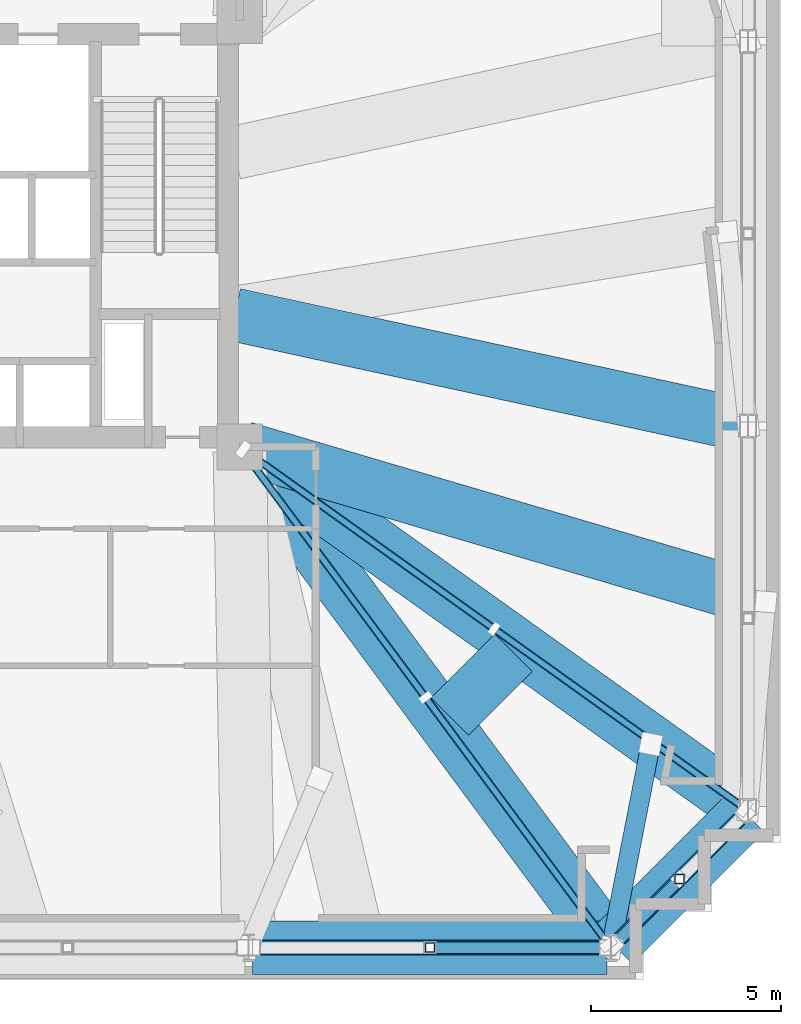
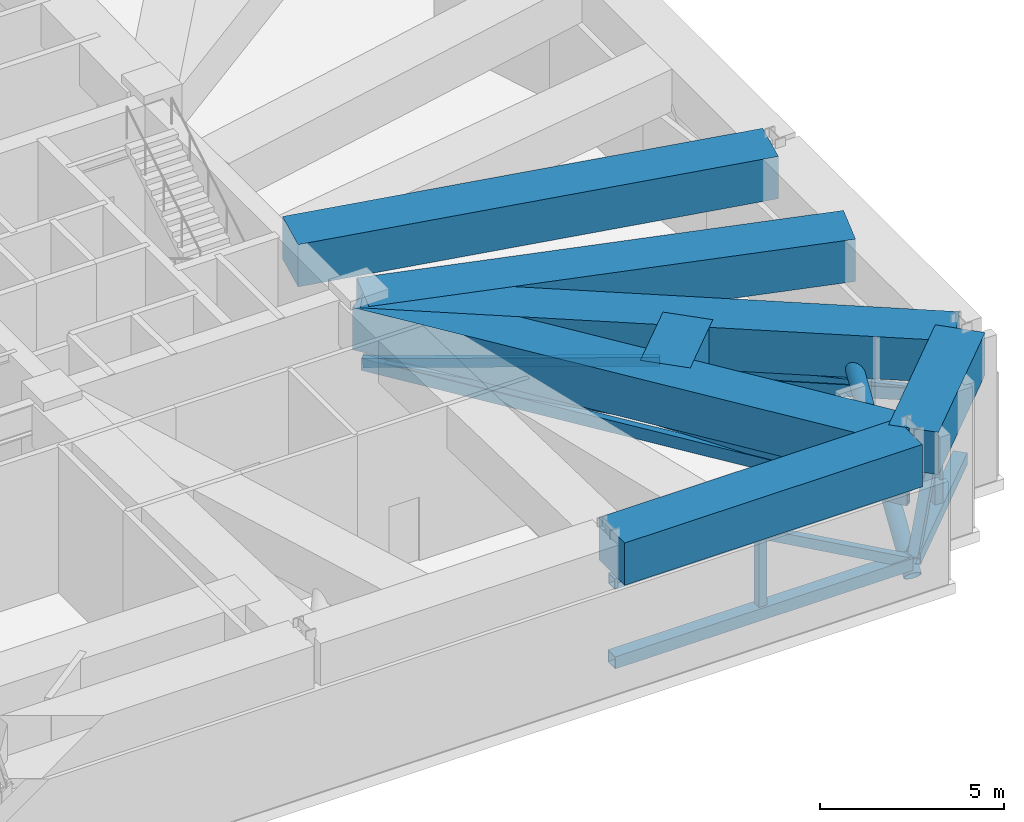
# One storey, part 7 of 20: 15 members, 7 beams.
"""IFC4 building model written with IfcOpenShell, lengths in metres."""

import ifcopenshell
import ifcopenshell.guid

model = None  # the IFC model being written
_history = None  # IfcOwnerHistory: only IFC2X3 demands one
_inside = {}  # id of a spatial element -> (the spatial element, [elements in it])
_under = {}  # id of a project, library or spatial element -> (it, [spatial elements below it])
_declared = {}  # id of a project -> (the project, [libraries it declares])
_typed = {}  # id of a type object -> (the type object, [elements of that type])
_made_of = {}  # id of a material, layer set ... -> (it, [elements and type objects made of it])


def new_model(schema):
    """Start an empty IFC model of exactly this schema.

    Asked for "IFC4X3", IfcOpenShell would pick the latest addendum, in which some entities
    have other attributes; the version numbers below select the first issue.
    IFC2X3 requires an IfcOwnerHistory on every rooted entity: one is made here for all.
    """
    global model, _history
    if schema == "IFC4X3":
        model = ifcopenshell.file(schema_version=(4, 3, 0, 0))
    else:
        model = ifcopenshell.file(schema=schema)
    _inside.clear()
    _under.clear()
    _declared.clear()
    _typed.clear()
    _made_of.clear()
    _history = None
    if model.schema == "IFC2X3":
        org = make("IfcOrganization", Name="unknown")
        user = make(
            "IfcPersonAndOrganization",
            ThePerson=make("IfcPerson", FamilyName="unknown"),
            TheOrganization=org,
        )
        app = make(
            "IfcApplication",
            ApplicationDeveloper=org,
            Version="unknown",
            ApplicationFullName="unknown",
            ApplicationIdentifier="unknown",
        )
        _history = make(
            "IfcOwnerHistory",
            OwningUser=user,
            OwningApplication=app,
            ChangeAction="ADDED",
            CreationDate=0,
        )
    return model


def make(cls, **values):
    """One entity of the class cls with the attributes given. An attribute that is None is left unset."""
    return model.create_entity(
        cls, **{name: value for name, value in values.items() if value is not None}
    )


def rooted(cls, **values):
    """An entity with a GlobalId (a new one), such as an element, a storey or a relation."""
    return make(cls, GlobalId=ifcopenshell.guid.new(), OwnerHistory=_history, **values)


def si_unit(unit_type, name, prefix=None):
    """IfcSIUnit, for example si_unit("LENGTHUNIT", "METRE", prefix="MILLI")."""
    return make("IfcSIUnit", UnitType=unit_type, Prefix=prefix, Name=name)


def assignment(units):
    """IfcUnitAssignment: the units of a project."""
    return None if units is None else make("IfcUnitAssignment", Units=units)


def point(xyz):
    """IfcCartesianPoint."""
    return None if xyz is None else make("IfcCartesianPoint", Coordinates=xyz)


def direction(xyz):
    """IfcDirection."""
    return None if xyz is None else make("IfcDirection", DirectionRatios=xyz)


def frame(location, z_axis=None, x_axis=None):
    """IfcAxis2Placement3D, a coordinate frame: its origin and axes. An axis left out is left unset."""
    return make(
        "IfcAxis2Placement3D",
        Location=point(location),
        Axis=direction(z_axis),
        RefDirection=direction(x_axis),
    )


def frame_2d(location, x_axis=None):
    """IfcAxis2Placement2D, a coordinate frame in the plane: its origin and x axis."""
    return make(
        "IfcAxis2Placement2D", Location=point(location), RefDirection=direction(x_axis)
    )


def origin():
    """The frame at (0, 0, 0) with its axes left unset."""
    return frame((0.0, 0.0, 0.0))


def origin_2d():
    """The frame at (0, 0) in the plane with its x axis left unset."""
    return frame_2d((0.0, 0.0))


def place(relative_to, where):
    """IfcLocalPlacement: puts the frame where relative to a parent placement (None: the world)."""
    return make(
        "IfcLocalPlacement", PlacementRelTo=relative_to, RelativePlacement=where
    )


def context(
    kind, dimensions, precision=None, world=None, true_north=None, identifier=None
):
    """IfcGeometricRepresentationContext, for example the 3D "Model" context."""
    return make(
        "IfcGeometricRepresentationContext",
        ContextIdentifier=identifier,
        ContextType=kind,
        CoordinateSpaceDimension=dimensions,
        Precision=precision,
        WorldCoordinateSystem=world,
        TrueNorth=true_north,
    )


def subcontext(parent, identifier, kind, view, scale=None):
    """IfcGeometricRepresentationSubContext, for example "Body" below "Model"."""
    return make(
        "IfcGeometricRepresentationSubContext",
        ContextIdentifier=identifier,
        ContextType=kind,
        ParentContext=parent,
        TargetScale=scale,
        TargetView=view,
    )


def project(units=None, contexts=None):
    """IfcProject with its units and contexts."""
    return rooted(
        "IfcProject",
        Name="project",
        RepresentationContexts=contexts,
        UnitsInContext=assignment(units),
    )


def spatial(cls, under=None, at=None, **own):
    """A site, building, storey or space (cls), placed at a placement, below another one or the project."""
    s = rooted(cls, ObjectPlacement=at, **own)
    if under is not None:
        _under.setdefault(under.id(), (under, []))[1].append(s)
    return s


def profile(cls, at=None, kind="AREA", **sizes):
    """A parametric profile (cls). Its sizes go by their IFC names, for example OverallWidth=200.0."""
    return make(cls, ProfileType=kind, Position=at, **sizes)


def rectangle(**sizes):
    """IfcRectangleProfileDef."""
    return profile("IfcRectangleProfileDef", **sizes)


def hollow_rectangle(**sizes):
    """IfcRectangleHollowProfileDef."""
    return profile("IfcRectangleHollowProfileDef", **sizes)


def hollow_circle(**sizes):
    """IfcCircleHollowProfileDef."""
    return profile("IfcCircleHollowProfileDef", **sizes)


def extrude(swept, where, along, depth):
    """IfcExtrudedAreaSolid: the profile swept, set in the frame where, extruded along a direction by depth."""
    return make(
        "IfcExtrudedAreaSolid",
        SweptArea=swept,
        Position=where,
        ExtrudedDirection=direction(along),
        Depth=depth,
    )


def shape(context_of_items, identifier, shape_type, items):
    """IfcShapeRepresentation: the items that make up one representation, for example the "Body"."""
    return make(
        "IfcShapeRepresentation",
        ContextOfItems=context_of_items,
        RepresentationIdentifier=identifier,
        RepresentationType=shape_type,
        Items=items,
    )


def material(Name=None, Category=None):
    """IfcMaterial."""
    return make("IfcMaterial", Name=Name, Category=Category)


def material_profile(
    of_material, cross_section, Name=None, Category=None, Priority=None
):
    """IfcMaterialProfile: a cross section and its material."""
    return make(
        "IfcMaterialProfile",
        Name=Name,
        Material=of_material,
        Profile=cross_section,
        Priority=Priority,
        Category=Category,
    )


def profile_set(profiles, Name=None, composite=None):
    """IfcMaterialProfileSet."""
    return make(
        "IfcMaterialProfileSet",
        Name=Name,
        MaterialProfiles=profiles,
        CompositeProfile=composite,
    )


def made_of(thing, what):
    """Note that an element or type object is made of a material, layer set ...; save() writes the relation."""
    if what is not None:
        _made_of.setdefault(what.id(), (what, []))[1].append(thing)
    return thing


def type_object(cls, material=None, **own):
    """A type object (cls), such as IfcWallType, which elements share."""
    return made_of(rooted(cls, **own), material)


def element(
    cls,
    number,
    at=None,
    inside=None,
    cuts=None,
    type_object=None,
    material=None,
    context=None,
    identifier="Body",
    shape_type=None,
    held_by="IfcProductDefinitionShape",
    body=None,
    shapes=None,
    **own,
):
    """One element of the class cls, such as IfcWall. Its Tag is "e" and its number.

    at: its placement. inside: the storey or other place that contains it. cuts: it is an
    opening in that element (IfcRelVoidsElement). A single representation is given by context,
    identifier, shape_type and body (its items); several are given by shapes. held_by: the class
    of the entity that holds the representations. save() writes the other relations.
    """
    e = rooted(cls, Tag="e%d" % number, ObjectPlacement=at, **own)
    if body is not None:
        shapes = [shape(context, identifier, shape_type, body)]
    if shapes is not None:
        e.Representation = make(held_by, Representations=shapes)
    if inside is not None:
        _inside.setdefault(inside.id(), (inside, []))[1].append(e)
    if cuts is not None:
        rooted(
            "IfcRelVoidsElement", RelatingBuildingElement=cuts, RelatedOpeningElement=e
        )
    if type_object is not None:
        _typed.setdefault(type_object.id(), (type_object, []))[1].append(e)
    return made_of(e, material)


def aggregate(whole, parts):
    """IfcRelAggregates: a whole, such as a stair, and the parts it consists of."""
    return rooted("IfcRelAggregates", RelatingObject=whole, RelatedObjects=parts)


def save(model, path):
    """Write the relations noted so far, then the file.

    IfcRelAggregates (storeys below a building ...), IfcRelContainedInSpatialStructure (elements
    in a storey), IfcRelDefinesByType, IfcRelAssociatesMaterial and IfcRelDeclares: one each for
    every whole, place, type object, material and project.
    """
    for whole, parts in _under.values():
        aggregate(whole, parts)
    for where, things in _inside.values():
        rooted(
            "IfcRelContainedInSpatialStructure",
            RelatedElements=things,
            RelatingStructure=where,
        )
    for kind, things in _typed.values():
        rooted("IfcRelDefinesByType", RelatedObjects=things, RelatingType=kind)
    for what, things in _made_of.values():
        rooted("IfcRelAssociatesMaterial", RelatedObjects=things, RelatingMaterial=what)
    for by, libraries in _declared.values():
        rooted("IfcRelDeclares", RelatingContext=by, RelatedDefinitions=libraries)
    model.write(path)


model = new_model("IFC4")

# Units and contexts
model_context = context("Model", 3, precision=1e-05, world=origin(), true_north=direction((0.0, 1.0)))
body_context = subcontext(model_context, "Body", "Model", "MODEL_VIEW")
ifc_project = project(units=[si_unit("LENGTHUNIT", "METRE"), si_unit("AREAUNIT", "SQUARE_METRE"), si_unit("VOLUMEUNIT", "CUBIC_METRE"), si_unit("PLANEANGLEUNIT", "RADIAN"), si_unit("MASSUNIT", "GRAM", prefix="KILO")], contexts=[model_context])

# Site, building, storey
site_placement = place(None, origin())
site = spatial("IfcSite", under=ifc_project, at=site_placement, CompositionType="ELEMENT")
building_placement = place(site_placement, origin())
building = spatial("IfcBuilding", under=site, at=building_placement, Name="Qobustan Lattice House", CompositionType="ELEMENT")
storey_placement = place(building_placement, frame((0.0, 0.0, 73.89990234375)))
storey = spatial("IfcBuildingStorey", under=building, at=storey_placement, Name="L20", CompositionType="ELEMENT", Elevation=73.89990234375)

# Beams
ifc_material_1 = material(Name="Concrete C60/75", Category="concrete")
ifc_material_profile_1 = material_profile(ifc_material_1, rectangle(XDim=1.39990234375, YDim=1.39990234375, at=origin_2d()), Name="RC1400x1400")
ifc_profile_set_1 = profile_set([ifc_material_profile_1], Name="Concrete C60/75")
beam_type = type_object("IfcBeamType", Name="BM-TRG-RC1400", PredefinedType="USERDEFINED", material=ifc_profile_set_1)
beam_1_placement = place(storey_placement, frame((19.13330078125, -18.75, 4.1201171875), z_axis=(1.0, 0.0, 0.0), x_axis=(0.0, 1.0, 0.0)))
element("IfcBeam", 1, at=beam_1_placement, inside=storey, type_object=beam_type, Name="L20 TT1 lower perimeter transfer girder S6-S7", ObjectType="GIRDER", PredefinedType="USERDEFINED", context=body_context, shape_type="SweptSolid", body=[
    extrude(rectangle(XDim=1.39990234375, YDim=1.39990234375, at=origin_2d()), origin(), (0.0, 0.0, 1.0), 9.316650390625),
])
beam_2_placement = place(storey_placement, frame((28.62060546875, -18.67919921875, 4.1201171875), z_axis=(0.70713173775, 0.707081823743, 0.0), x_axis=(-0.707081823743, 0.70713173775, 0.0)))
element("IfcBeam", 2, at=beam_2_placement, inside=storey, type_object=beam_type, Name="L20 TT1 lower perimeter transfer girder S7-E1", ObjectType="GIRDER", PredefinedType="USERDEFINED", context=body_context, shape_type="SweptSolid", body=[
    extrude(rectangle(XDim=1.39990234375, YDim=1.39990234375, at=origin_2d()), origin(), (0.0, 0.0, 1.0), 4.89111328125),
])
beam_3_placement = place(storey_placement, frame((18.87158203125, -5.6962890625, 4.1201171875), z_axis=(0.595585839157, -0.803291670688, 0.0), x_axis=(0.803291670688, 0.595585839157, 0.0)))
element("IfcBeam", 3, at=beam_3_placement, inside=storey, type_object=beam_type, Name="L20 TT1 radial transfer girder S7", ObjectType="GIRDER", PredefinedType="USERDEFINED", context=body_context, shape_type="SweptSolid", body=[
    extrude(rectangle(XDim=1.39990234375, YDim=1.39990234375, at=origin_2d()), origin(), (0.0, 0.0, 1.0), 16.130126953125),
])
beam_4_placement = place(storey_placement, frame((18.897705078125, -5.669921875, 4.1201171875), z_axis=(0.813327350359, -0.581806343347, 0.0), x_axis=(0.581806343347, 0.813327350359, 0.0)))
element("IfcBeam", 4, at=beam_4_placement, inside=storey, type_object=beam_type, Name="L20 TT1 radial transfer girder E1", ObjectType="GIRDER", PredefinedType="USERDEFINED", context=body_context, shape_type="SweptSolid", body=[
    extrude(rectangle(XDim=1.39990234375, YDim=1.39990234375, at=origin_2d()), origin(), (0.0, 0.0, 1.0), 16.174072265625),
])
beam_5_placement = place(storey_placement, frame((18.667236328125, -2.12548828125, 4.1201171875), z_axis=(0.977272930784, -0.211984949366, 0.0), x_axis=(0.211984949366, 0.977272930784, 0.0)))
element("IfcBeam", 5, at=beam_5_placement, inside=storey, type_object=beam_type, Name="L20 TT1 radial transfer girder E2", ObjectType="GIRDER", PredefinedType="USERDEFINED", context=body_context, shape_type="SweptSolid", body=[
    extrude(rectangle(XDim=1.39990234375, YDim=1.39990234375, at=origin_2d()), origin(), (0.0, 0.0, 1.0), 13.67626953125),
])
beam_6_placement = place(storey_placement, frame((24.318115234375, -12.677001953125, 4.1201171875), z_axis=(0.707055056174, 0.707158502415, 0.0), x_axis=(-0.707158502415, 0.707055056174, 0.0)))
element("IfcBeam", 6, at=beam_6_placement, inside=storey, type_object=beam_type, Name="L20 TT1 quadrant transfer tie girder 4", ObjectType="GIRDER", PredefinedType="USERDEFINED", context=body_context, shape_type="SweptSolid", body=[
    extrude(rectangle(XDim=1.39990234375, YDim=1.39990234375, at=origin_2d()), origin(), (0.0, 0.0, 1.0), 2.360107421875),
])
beam_7_placement = place(storey_placement, frame((18.9150390625, -5.6337890625, 4.1201171875), z_axis=(0.959248595949, -0.282563499358, 0.0), x_axis=(0.282563499358, 0.959248595949, 0.0)))
element("IfcBeam", 7, at=beam_7_placement, inside=storey, type_object=beam_type, Name="L20 TT1 primary column transfer girder E1", ObjectType="GIRDER", PredefinedType="USERDEFINED", context=body_context, shape_type="SweptSolid", body=[
    extrude(rectangle(XDim=1.39990234375, YDim=1.39990234375, at=origin_2d()), origin(), (0.0, 0.0, 1.0), 13.5771484375),
])

# Members
ifc_material_2 = material(Name="Steel S355", Category="steel")
ifc_material_profile_2 = material_profile(ifc_material_2, hollow_rectangle(XDim=0.14990234375, YDim=0.300048828125, WallThickness=0.012451171875, at=origin_2d()), Name="RHS300x150x12.5")
ifc_profile_set_2 = profile_set([ifc_material_profile_2], Name="Steel S355")
member_type_1 = type_object("IfcMemberType", Name="MEM-BRC-RHS300", PredefinedType="BRACE", material=ifc_profile_set_2)
for number, where, z_axis, x_axis, name in (
    (8, (18.897705078125, -5.669921875, 2.550048828125), (0.811170788015, -0.580263666034, 0.072773831507), (0.581806343347, 0.813327350359, 0.0), "L20 TT1 outrigger diagonal OUT-ES-1"),
    (9, (25.47509765625, -10.375, 3.14013671875), (0.811170788015, -0.580263666034, -0.072773831507), (0.581806343347, 0.813327350359, 0.0), "L20 TT1 outrigger diagonal OUT-ES-2"),
):
    element("IfcMember", number, at=place(storey_placement, frame(where, z_axis=z_axis, x_axis=x_axis)), inside=storey, type_object=member_type_1, Name=name, PredefinedType="BRACE", context=body_context, shape_type="SweptSolid", body=[
        extrude(hollow_rectangle(XDim=0.14990234375, YDim=0.300048828125, WallThickness=0.012451171875, at=origin_2d()), origin(), (0.0, 0.0, 1.0), 8.1083984375),
    ])
for number, where, z_axis, x_axis, name in (
    (10, (18.87158203125, -5.6962890625, 2.550048828125), (0.593990885889, -0.801155585201, 0.072969553809), (0.803297039527, 0.595578597909, 0.0), "L20 TT1 outrigger diagonal OUT-EN-1"),
    (11, (23.675048828125, -12.175048828125, 3.14013671875), (0.594005252993, -0.80114477222, -0.072971318754), (0.803286301652, 0.595593080532, 0.0), "L20 TT1 outrigger diagonal OUT-EN-2"),
):
    element("IfcMember", number, at=place(storey_placement, frame(where, z_axis=z_axis, x_axis=x_axis)), inside=storey, type_object=member_type_1, Name=name, PredefinedType="BRACE", context=body_context, shape_type="SweptSolid", body=[
        extrude(hollow_rectangle(XDim=0.14990234375, YDim=0.300048828125, WallThickness=0.012451171875, at=origin_2d()), origin(), (0.0, 0.0, 1.0), 8.086669921875),
    ])
ifc_material_3 = material(Name="Steel S355", Category="steel")
ifc_material_profile_3 = material_profile(ifc_material_3, hollow_rectangle(XDim=0.300048828125, YDim=0.300048828125, WallThickness=0.01611328125, at=origin_2d()), Name="SHS300x300x16")
ifc_profile_set_3 = profile_set([ifc_material_profile_3], Name="Steel S355")
member_type_2 = type_object("IfcMemberType", Name="MEM-BRC-SHS300", PredefinedType="BRACE", material=ifc_profile_set_3)
member_1_placement = place(storey_placement, frame((23.79150390625, -18.75, 3.14013671875), z_axis=(0.873993021838, 0.0, -0.485938471185), x_axis=(0.0, 1.0, 0.0)))
element("IfcMember", 12, at=member_1_placement, inside=storey, type_object=member_type_2, Name="L20 TT1 belt truss web diagonal S6-S7 B", PredefinedType="BRACE", context=body_context, shape_type="SweptSolid", body=[
    extrude(hollow_rectangle(XDim=0.300048828125, YDim=0.300048828125, WallThickness=0.01611328125, at=origin_2d()), origin(), (0.0, 0.0, 1.0), 5.330078125),
])
member_2_placement = place(storey_placement, frame((28.62060546875, -18.67919921875, 0.550048828125), z_axis=(0.485498440745, 0.485429906239, 0.727082574515), x_axis=(-0.70705686718, 0.70715669167, 0.0)))
element("IfcMember", 13, at=member_2_placement, inside=storey, type_object=member_type_2, Name="L20 TT1 belt truss web diagonal S7-E1 A", PredefinedType="BRACE", context=body_context, shape_type="SweptSolid", body=[
    extrude(hollow_rectangle(XDim=0.300048828125, YDim=0.300048828125, WallThickness=0.01611328125, at=origin_2d()), origin(), (0.0, 0.0, 1.0), 3.562255859375),
])
ifc_material_4 = material(Name="Steel S355", Category="steel")
ifc_material_profile_4 = material_profile(ifc_material_4, hollow_rectangle(XDim=0.199951171875, YDim=0.39990234375, WallThickness=0.01611328125, at=origin_2d()), Name="RHS400x200x16")
ifc_profile_set_4 = profile_set([ifc_material_profile_4], Name="Steel S355")
member_type_3 = type_object("IfcMemberType", Name="MEM-CHD-RHS400", PredefinedType="CHORD", material=ifc_profile_set_4)
member_3_placement = place(storey_placement, frame((18.897705078125, -5.669921875, 2.550048828125), z_axis=(0.813327350359, -0.581806343347, 0.0), x_axis=(0.581806343347, 0.813327350359, 0.0)))
element("IfcMember", 14, at=member_3_placement, inside=storey, type_object=member_type_3, Name="L20 TT1 outrigger chord OUT-ES", PredefinedType="CHORD", context=body_context, shape_type="SweptSolid", body=[
    extrude(hollow_rectangle(XDim=0.199951171875, YDim=0.39990234375, WallThickness=0.01611328125, at=origin_2d()), origin(), (0.0, 0.0, 1.0), 16.174072265625),
])
member_4_placement = place(storey_placement, frame((18.87158203125, -5.6962890625, 2.550048828125), z_axis=(0.595585839157, -0.803291670688, 0.0), x_axis=(0.803291670688, 0.595585839157, 0.0)))
element("IfcMember", 15, at=member_4_placement, inside=storey, type_object=member_type_3, Name="L20 TT1 outrigger chord OUT-EN", PredefinedType="CHORD", context=body_context, shape_type="SweptSolid", body=[
    extrude(hollow_rectangle(XDim=0.199951171875, YDim=0.39990234375, WallThickness=0.01611328125, at=origin_2d()), origin(), (0.0, 0.0, 1.0), 16.130126953125),
])
ifc_material_5 = material(Name="Steel S355", Category="steel")
ifc_material_profile_5 = material_profile(ifc_material_5, hollow_rectangle(XDim=0.35009765625, YDim=0.35009765625, WallThickness=0.01611328125, at=origin_2d()), Name="SHS350x350x16")
ifc_profile_set_5 = profile_set([ifc_material_profile_5], Name="Steel S355")
member_type_4 = type_object("IfcMemberType", Name="MEM-CHD-SHS350", PredefinedType="CHORD", material=ifc_profile_set_5)
member_5_placement = place(storey_placement, frame((19.13330078125, -18.75, 3.14013671875), z_axis=(1.0, 0.0, 0.0), x_axis=(0.0, 1.0, 0.0)))
element("IfcMember", 16, at=member_5_placement, inside=storey, type_object=member_type_4, Name="L20 TT1 belt truss top chord S6-S7", PredefinedType="CHORD", context=body_context, shape_type="SweptSolid", body=[
    extrude(hollow_rectangle(XDim=0.35009765625, YDim=0.35009765625, WallThickness=0.01611328125, at=origin_2d()), origin(), (0.0, 0.0, 1.0), 9.316650390625),
])
member_6_placement = place(storey_placement, frame((28.62060546875, -18.67919921875, 3.14013671875), z_axis=(0.70713173775, 0.707081823743, 0.0), x_axis=(-0.707081823743, 0.70713173775, 0.0)))
element("IfcMember", 17, at=member_6_placement, inside=storey, type_object=member_type_4, Name="L20 TT1 belt truss top chord S7-E1", PredefinedType="CHORD", context=body_context, shape_type="SweptSolid", body=[
    extrude(hollow_rectangle(XDim=0.35009765625, YDim=0.35009765625, WallThickness=0.01611328125, at=origin_2d()), origin(), (0.0, 0.0, 1.0), 4.89111328125),
])
ifc_material_6 = material(Name="Steel S355", Category="steel")
ifc_material_profile_6 = material_profile(ifc_material_6, hollow_rectangle(XDim=0.39990234375, YDim=0.39990234375, WallThickness=0.02001953125, at=origin_2d()), Name="SHS400x400x20")
ifc_profile_set_6 = profile_set([ifc_material_profile_6], Name="Steel S355")
member_type_5 = type_object("IfcMemberType", Name="MEM-CHD-SHS400", PredefinedType="CHORD", material=ifc_profile_set_6)
member_7_placement = place(storey_placement, frame((19.13330078125, -18.75, 0.550048828125), z_axis=(1.0, 0.0, 0.0), x_axis=(0.0, 1.0, 0.0)))
element("IfcMember", 18, at=member_7_placement, inside=storey, type_object=member_type_5, Name="L20 TT1 belt truss bottom chord S6-S7", PredefinedType="CHORD", context=body_context, shape_type="SweptSolid", body=[
    extrude(hollow_rectangle(XDim=0.39990234375, YDim=0.39990234375, WallThickness=0.02001953125, at=origin_2d()), origin(), (0.0, 0.0, 1.0), 9.316650390625),
])
member_8_placement = place(storey_placement, frame((28.62060546875, -18.67919921875, 0.550048828125), z_axis=(0.70713173775, 0.707081823743, 0.0), x_axis=(-0.707081823743, 0.70713173775, 0.0)))
element("IfcMember", 19, at=member_8_placement, inside=storey, type_object=member_type_5, Name="L20 TT1 belt truss bottom chord S7-E1", PredefinedType="CHORD", context=body_context, shape_type="SweptSolid", body=[
    extrude(hollow_rectangle(XDim=0.39990234375, YDim=0.39990234375, WallThickness=0.02001953125, at=origin_2d()), origin(), (0.0, 0.0, 1.0), 4.89111328125),
])
ifc_material_7 = material(Name="Steel S355", Category="steel")
ifc_material_profile_7 = material_profile(ifc_material_7, hollow_rectangle(XDim=0.25, YDim=0.25, WallThickness=0.012451171875, at=origin_2d()), Name="SHS250x250x12.5")
ifc_profile_set_7 = profile_set([ifc_material_profile_7], Name="Steel S355")
member_type_6 = type_object("IfcMemberType", Name="MEM-PST-SHS250", PredefinedType="POST", material=ifc_profile_set_7)
for number, where, z_axis, x_axis, name in (
    (20, (23.79150390625, -18.75, 0.550048828125), (0.0, 0.0, 1.0), (1.0, 0.0, 0.0), "L20 TT1 belt truss vertical post S6-S7"),
    (21, (30.35009765625, -16.949951171875, 0.550048828125), (0.0, 0.0, 1.0), (1.0, 0.0, 0.0), "L20 TT1 belt truss vertical post S7-E1"),
):
    element("IfcMember", number, at=place(storey_placement, frame(where, z_axis=z_axis, x_axis=x_axis)), inside=storey, type_object=member_type_6, Name=name, PredefinedType="POST", context=body_context, shape_type="SweptSolid", body=[
        extrude(hollow_rectangle(XDim=0.25, YDim=0.25, WallThickness=0.012451171875, at=origin_2d()), origin(), (0.0, 0.0, 1.0), 2.590087890625),
    ])
ifc_material_8 = material(Name="Steel S355", Category="steel")
ifc_material_profile_8 = material_profile(ifc_material_8, hollow_circle(Radius=0.25390625, WallThickness=0.02001953125, at=origin_2d()), Name="CHS508x20")
ifc_profile_set_8 = profile_set([ifc_material_profile_8], Name="Steel S355")
member_type_7 = type_object("IfcMemberType", Name="MEM-STR-CHS508", PredefinedType="STRUT", material=ifc_profile_set_8)
member_9_placement = place(storey_placement, frame((28.550048828125, -18.75, 0.01513671875), z_axis=(0.152974882002, 0.783638182992, 0.602087936795), x_axis=(-0.981474139512, 0.191594659294, 0.0)))
element("IfcMember", 22, at=member_9_placement, inside=storey, type_object=member_type_7, Name="L20 TT1 column transfer strut S7", PredefinedType="STRUT", context=body_context, shape_type="SweptSolid", body=[
    extrude(hollow_circle(Radius=0.25390625, WallThickness=0.02001953125, at=origin_2d()), origin(), (0.0, 0.0, 1.0), 6.81787109375),
])

save(model, "model.ifc")
